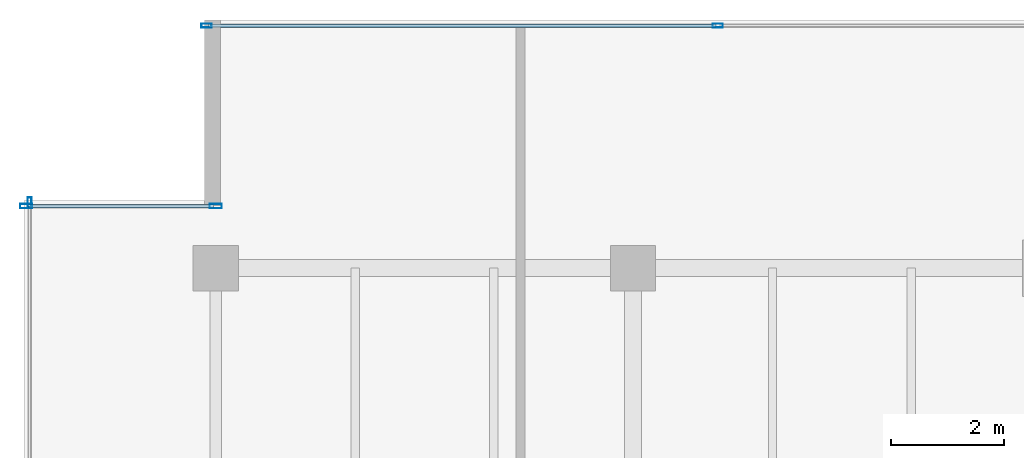
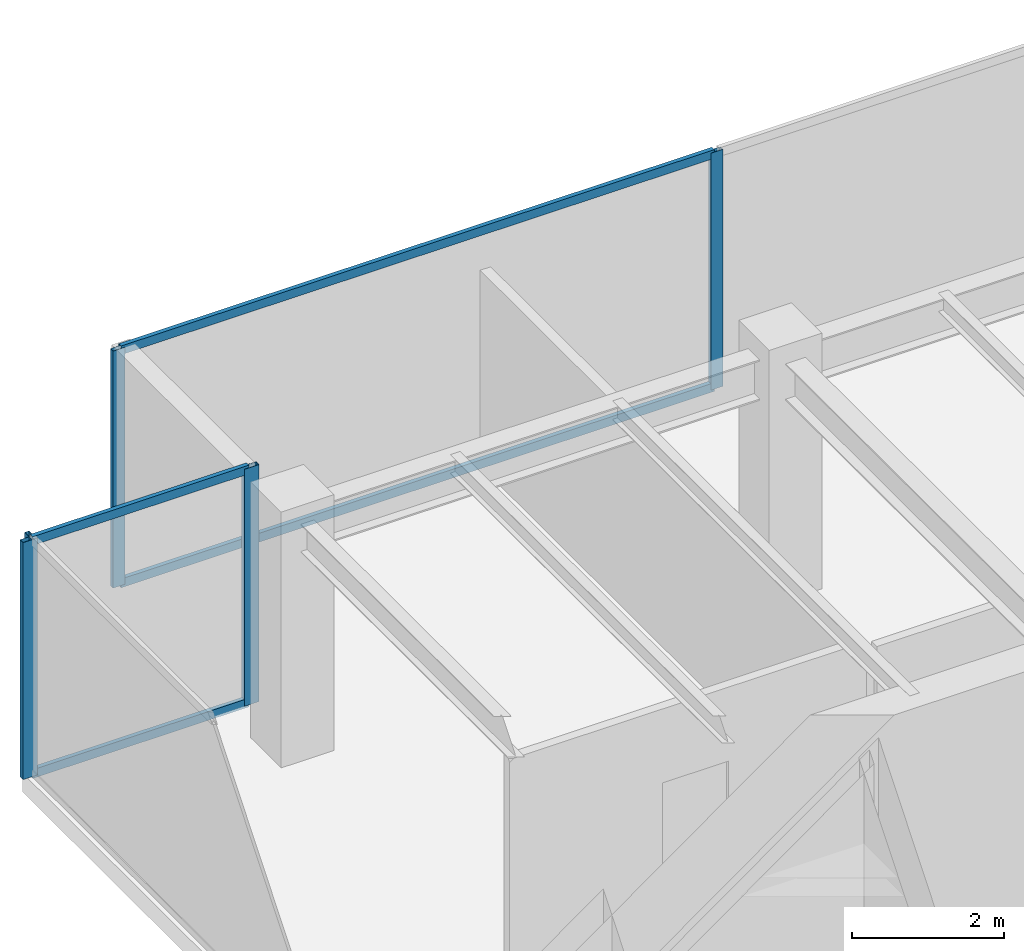
# One storey, part 15 of 33: 9 members, 3 elements without a shape of their own.
"""IFC4 building model written with IfcOpenShell, lengths in metres."""

from ifc_helpers import new_model, si_unit, direction, frame, origin, origin_2d, place, context, subcontext, project, spatial, hollow_rectangle, extrude, source, transform, mapped, material, layer, layer_set, material_profile, profile_set, type_object, type_shapes, element, aggregate, save


model = new_model("IFC4")

# Units and contexts
model_context = context("Model", 3, precision=1e-05, world=origin(), true_north=direction((0.0, 1.0)))
body_context = subcontext(model_context, "Body", "Model", "MODEL_VIEW")
ifc_project = project(units=[si_unit("LENGTHUNIT", "METRE"), si_unit("AREAUNIT", "SQUARE_METRE"), si_unit("VOLUMEUNIT", "CUBIC_METRE"), si_unit("PLANEANGLEUNIT", "RADIAN"), si_unit("MASSUNIT", "GRAM", prefix="KILO")], contexts=[model_context])

# Site, building, storey
site_placement = place(None, origin())
site = spatial("IfcSite", under=ifc_project, at=site_placement, CompositionType="ELEMENT")
building_placement = place(site_placement, origin())
building = spatial("IfcBuilding", under=site, at=building_placement, Name="Haelvirn Gate Laboratories", CompositionType="ELEMENT")
storey_placement = place(building_placement, frame((0.0, 0.0, 230.10009765625)))
storey = spatial("IfcBuildingStorey", under=building, at=storey_placement, Name="L55", CompositionType="ELEMENT", Elevation=230.10009765625)

# Curtain wall, members
ifc_material_1 = material(Name="Anodised bronze unitised aluminium & triple low-E glass", Category="aluminium")
ifc_layer_1 = layer(ifc_material_1, 0.181884765625, Name="CW-SYS-5")
ifc_layer_set_1 = layer_set([ifc_layer_1], Name="Anodised bronze unitised aluminium & triple low-E glass")
curtain_wall_type_1 = type_object("IfcCurtainWallType", Name="CW-SYS-5", PredefinedType="NOTDEFINED", material=ifc_layer_set_1)
curtain_wall_1_placement = place(storey_placement, origin())
curtain_wall_1 = element("IfcCurtainWall", 1, at=curtain_wall_1_placement, inside=storey, type_object=curtain_wall_type_1, Name="L55 Unitised Curtain Wall CW-L55-P0-E16-1", PredefinedType="NOTDEFINED")
ifc_material_2 = material(Name="Extruded aluminium 6063-T6 (anodised bronze)", Category="aluminium")
ifc_material_profile_1 = material_profile(ifc_material_2, hollow_rectangle(XDim=0.06494140625, YDim=0.139892578125, WallThickness=0.00390625, at=origin_2d()), Name="CWT-140x65x4")
ifc_profile_set_1 = profile_set([ifc_material_profile_1], Name="Extruded aluminium 6063-T6 (anodised bronze)")
member_type_1 = type_object("IfcMemberType", Name="CWT-T140", PredefinedType="USERDEFINED", material=ifc_profile_set_1)
shared_shape_1 = source(origin(), body_context, "Body", "SweptSolid", [
    extrude(hollow_rectangle(XDim=0.06494140625, YDim=0.139892578125, WallThickness=0.00390625, at=origin_2d()), origin(), (0.0, 0.0, 1.0), 3.280029296875),
])
member_1_placement = place(storey_placement, frame((4.080078125, 42.699951171875, 0.032470703125), z_axis=(1.0, 0.0, 0.0), x_axis=(0.0, 1.0, 0.0)))
member_1 = element("IfcMember", 2, at=member_1_placement, type_object=member_type_1, Name="CW5 transom 1.1", ObjectType="TRANSOM", PredefinedType="USERDEFINED", context=body_context, shape_type="MappedRepresentation", body=[
    mapped(shared_shape_1, transform((0.0, 0.0, 0.0), scale=1.0)),
])
member_2_placement = place(storey_placement, frame((4.080078125, 42.699951171875, 3.767333984375), z_axis=(1.0, 0.0, 0.0), x_axis=(0.0, 1.0, 0.0)))
member_2 = element("IfcMember", 3, at=member_2_placement, type_object=member_type_1, Name="CW5 transom 1.2", ObjectType="TRANSOM", PredefinedType="USERDEFINED", context=body_context, shape_type="MappedRepresentation", body=[
    mapped(shared_shape_1, transform((0.0, 0.0, 0.0), scale=1.0)),
])

ifc_layer_2 = layer(ifc_material_1, 0.176025390625, Name="CW-SYS-4")
ifc_layer_set_2 = layer_set([ifc_layer_2], Name="Anodised bronze unitised aluminium & triple low-E glass")
curtain_wall_type_2 = type_object("IfcCurtainWallType", Name="CW-SYS-4", PredefinedType="NOTDEFINED", material=ifc_layer_set_2)
curtain_wall_2_placement = place(storey_placement, origin())
curtain_wall_2 = element("IfcCurtainWall", 4, at=curtain_wall_2_placement, inside=storey, type_object=curtain_wall_type_2, Name="L55 Unitised Curtain Wall CW-L55-P0-E14-1", PredefinedType="NOTDEFINED")
shared_shape_2 = source(origin(), body_context, "Body", "SweptSolid", [
    extrude(hollow_rectangle(XDim=0.06494140625, YDim=0.139892578125, WallThickness=0.00390625, at=origin_2d()), origin(), (0.0, 0.0, 1.0), 8.994873046875),
])
type_shapes(member_type_1, [shared_shape_1, shared_shape_2])
member_3_placement = place(storey_placement, frame((7.27001953125, 45.89990234375, 0.032470703125), z_axis=(1.0, 0.0, 0.0), x_axis=(0.0, 1.0, 0.0)))
member_3 = element("IfcMember", 5, at=member_3_placement, type_object=member_type_1, Name="CW4 transom 1.1", ObjectType="TRANSOM", PredefinedType="USERDEFINED", context=body_context, shape_type="MappedRepresentation", body=[
    mapped(shared_shape_2, transform((0.0, 0.0, 0.0), scale=1.0)),
])
member_4_placement = place(storey_placement, frame((7.27001953125, 45.89990234375, 3.767333984375), z_axis=(1.0, 0.0, 0.0), x_axis=(0.0, 1.0, 0.0)))
member_4 = element("IfcMember", 6, at=member_4_placement, type_object=member_type_1, Name="CW4 transom 1.2", ObjectType="TRANSOM", PredefinedType="USERDEFINED", context=body_context, shape_type="MappedRepresentation", body=[
    mapped(shared_shape_2, transform((0.0, 0.0, 0.0), scale=1.0)),
])
ifc_material_profile_2 = material_profile(ifc_material_2, hollow_rectangle(XDim=0.070068359375, YDim=0.179931640625, WallThickness=0.0048828125, at=origin_2d()), Name="CWM-180x70x5")
ifc_profile_set_2 = profile_set([ifc_material_profile_2], Name="Extruded aluminium 6063-T6 (anodised bronze)")
member_type_2 = type_object("IfcMemberType", Name="CWM-T180", PredefinedType="MULLION", material=ifc_profile_set_2)
shared_shape_3 = source(origin(), body_context, "Body", "SweptSolid", [
    extrude(hollow_rectangle(XDim=0.070068359375, YDim=0.179931640625, WallThickness=0.0048828125, at=origin_2d()), origin(), (0.0, 0.0, 1.0), 3.7998046875),
])
type_shapes(member_type_2, [shared_shape_3])
member_5_placement = place(storey_placement, frame((7.235107421875, 45.89990234375, 0.0), z_axis=(0.0, 0.0, 1.0), x_axis=(0.0, 1.0, 0.0)))
member_5 = element("IfcMember", 7, at=member_5_placement, type_object=member_type_2, Name="CW4 mullion 1", PredefinedType="MULLION", context=body_context, shape_type="MappedRepresentation", body=[
    mapped(shared_shape_3, transform((0.0, 0.0, 0.0), scale=1.0)),
])
member_6_placement = place(storey_placement, frame((16.300048828125, 45.89990234375, 0.0), z_axis=(0.0, 0.0, 1.0), x_axis=(0.0, 1.0, 0.0)))
member_6 = element("IfcMember", 8, at=member_6_placement, type_object=member_type_2, Name="CW4 mullion 2", PredefinedType="MULLION", context=body_context, shape_type="MappedRepresentation", body=[
    mapped(shared_shape_3, transform((0.0, 0.0, 0.0), scale=1.0)),
])
aggregate(curtain_wall_2, [member_5, member_6, member_3, member_4])

# Curtain wall, member
curtain_wall_3_placement = place(storey_placement, origin())
curtain_wall_3 = element("IfcCurtainWall", 9, at=curtain_wall_3_placement, inside=storey, type_object=curtain_wall_type_2, Name="L55 Unitised Curtain Wall CW-L55-P0-E17", PredefinedType="NOTDEFINED")
member_7_placement = place(storey_placement, frame((4.10009765625, 42.764892578125, 0.0), z_axis=(0.0, 0.0, 1.0), x_axis=(1.0, 0.0, 0.0)))
member_7 = element("IfcMember", 10, at=member_7_placement, type_object=member_type_2, Name="CW4 mullion 1", PredefinedType="MULLION", context=body_context, shape_type="MappedRepresentation", body=[
    mapped(shared_shape_3, transform((0.0, 0.0, 0.0), scale=1.0)),
])
aggregate(curtain_wall_3, [member_7])

# Member
ifc_material_profile_3 = material_profile(ifc_material_2, hollow_rectangle(XDim=0.080078125, YDim=0.219970703125, WallThickness=0.006103515625, at=origin_2d()), Name="CWM-220x80x6")
ifc_profile_set_3 = profile_set([ifc_material_profile_3], Name="Extruded aluminium 6063-T6 (anodised bronze)")
member_type_3 = type_object("IfcMemberType", Name="CWM-T220", PredefinedType="MULLION", material=ifc_profile_set_3)
shared_shape_4 = source(origin(), body_context, "Body", "SweptSolid", [
    extrude(hollow_rectangle(XDim=0.080078125, YDim=0.219970703125, WallThickness=0.006103515625, at=origin_2d()), origin(), (0.0, 0.0, 1.0), 3.7998046875),
])
type_shapes(member_type_3, [shared_shape_4])
member_8_placement = place(storey_placement, frame((4.0400390625, 42.699951171875, 0.0), z_axis=(0.0, 0.0, 1.0), x_axis=(0.0, 1.0, 0.0)))
member_8 = element("IfcMember", 11, at=member_8_placement, type_object=member_type_3, Name="CW5 mullion 1", PredefinedType="MULLION", context=body_context, shape_type="MappedRepresentation", body=[
    mapped(shared_shape_4, transform((0.0, 0.0, 0.0), scale=1.0)),
])

member_9_placement = place(storey_placement, frame((7.39990234375, 42.699951171875, 0.0), z_axis=(0.0, 0.0, 1.0), x_axis=(0.0, 1.0, 0.0)))
member_9 = element("IfcMember", 12, at=member_9_placement, type_object=member_type_3, Name="CW5 mullion 2", PredefinedType="MULLION", context=body_context, shape_type="MappedRepresentation", body=[
    mapped(shared_shape_4, transform((0.0, 0.0, 0.0), scale=1.0)),
])

aggregate(curtain_wall_1, [member_8, member_9, member_1, member_2])

save(model, "model.ifc")
